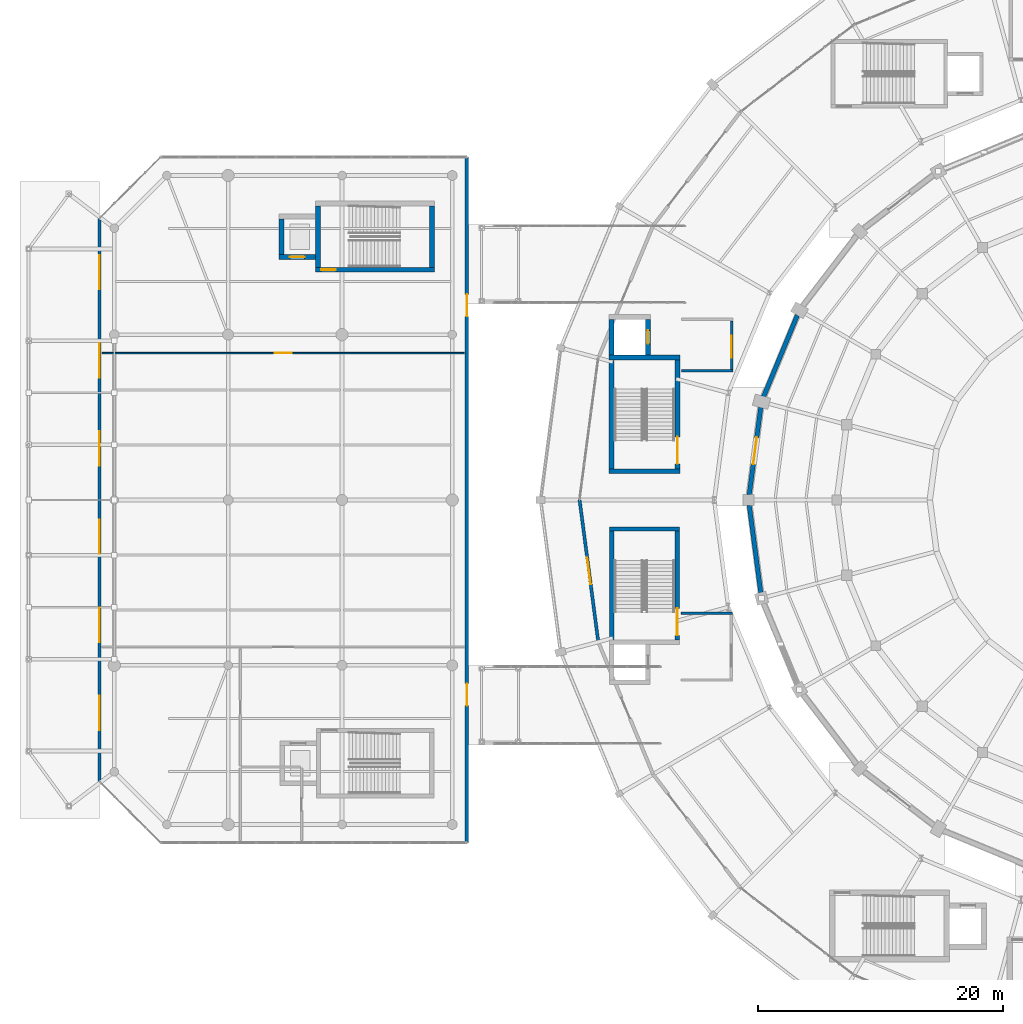
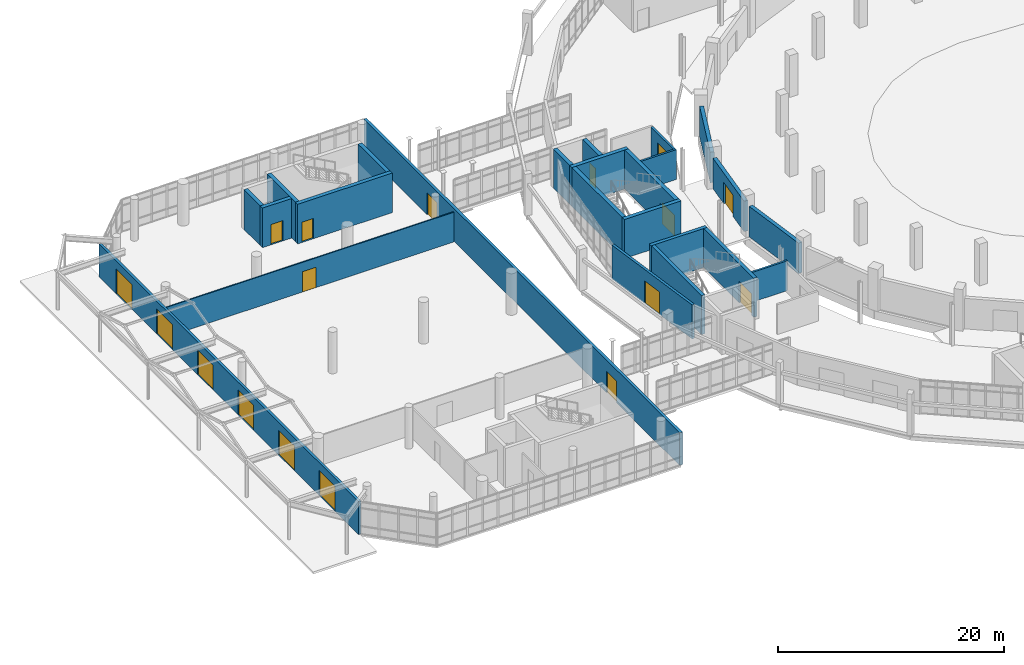
# One storey, part 103 of 122: 24 walls, 17 doors, 17 openings.
"""IFC4 building model written with IfcOpenShell, lengths in metres."""

import ifcopenshell
import ifcopenshell.guid

model = None  # the IFC model being written
_history = None  # IfcOwnerHistory: only IFC2X3 demands one
_inside = {}  # id of a spatial element -> (the spatial element, [elements in it])
_under = {}  # id of a project, library or spatial element -> (it, [spatial elements below it])
_declared = {}  # id of a project -> (the project, [libraries it declares])
_typed = {}  # id of a type object -> (the type object, [elements of that type])
_made_of = {}  # id of a material, layer set ... -> (it, [elements and type objects made of it])


def new_model(schema):
    """Start an empty IFC model of exactly this schema.

    Asked for "IFC4X3", IfcOpenShell would pick the latest addendum, in which some entities
    have other attributes; the version numbers below select the first issue.
    IFC2X3 requires an IfcOwnerHistory on every rooted entity: one is made here for all.
    """
    global model, _history
    if schema == "IFC4X3":
        model = ifcopenshell.file(schema_version=(4, 3, 0, 0))
    else:
        model = ifcopenshell.file(schema=schema)
    _inside.clear()
    _under.clear()
    _declared.clear()
    _typed.clear()
    _made_of.clear()
    _history = None
    if model.schema == "IFC2X3":
        org = make("IfcOrganization", Name="unknown")
        user = make(
            "IfcPersonAndOrganization",
            ThePerson=make("IfcPerson", FamilyName="unknown"),
            TheOrganization=org,
        )
        app = make(
            "IfcApplication",
            ApplicationDeveloper=org,
            Version="unknown",
            ApplicationFullName="unknown",
            ApplicationIdentifier="unknown",
        )
        _history = make(
            "IfcOwnerHistory",
            OwningUser=user,
            OwningApplication=app,
            ChangeAction="ADDED",
            CreationDate=0,
        )
    return model


def make(cls, **values):
    """One entity of the class cls with the attributes given. An attribute that is None is left unset."""
    return model.create_entity(
        cls, **{name: value for name, value in values.items() if value is not None}
    )


def rooted(cls, **values):
    """An entity with a GlobalId (a new one), such as an element, a storey or a relation."""
    return make(cls, GlobalId=ifcopenshell.guid.new(), OwnerHistory=_history, **values)


def si_unit(unit_type, name, prefix=None):
    """IfcSIUnit, for example si_unit("LENGTHUNIT", "METRE", prefix="MILLI")."""
    return make("IfcSIUnit", UnitType=unit_type, Prefix=prefix, Name=name)


def assignment(units):
    """IfcUnitAssignment: the units of a project."""
    return None if units is None else make("IfcUnitAssignment", Units=units)


def point(xyz):
    """IfcCartesianPoint."""
    return None if xyz is None else make("IfcCartesianPoint", Coordinates=xyz)


def direction(xyz):
    """IfcDirection."""
    return None if xyz is None else make("IfcDirection", DirectionRatios=xyz)


def frame(location, z_axis=None, x_axis=None):
    """IfcAxis2Placement3D, a coordinate frame: its origin and axes. An axis left out is left unset."""
    return make(
        "IfcAxis2Placement3D",
        Location=point(location),
        Axis=direction(z_axis),
        RefDirection=direction(x_axis),
    )


def frame_2d(location, x_axis=None):
    """IfcAxis2Placement2D, a coordinate frame in the plane: its origin and x axis."""
    return make(
        "IfcAxis2Placement2D", Location=point(location), RefDirection=direction(x_axis)
    )


def origin():
    """The frame at (0, 0, 0) with its axes left unset."""
    return frame((0.0, 0.0, 0.0))


def place(relative_to, where):
    """IfcLocalPlacement: puts the frame where relative to a parent placement (None: the world)."""
    return make(
        "IfcLocalPlacement", PlacementRelTo=relative_to, RelativePlacement=where
    )


def context(
    kind, dimensions, precision=None, world=None, true_north=None, identifier=None
):
    """IfcGeometricRepresentationContext, for example the 3D "Model" context."""
    return make(
        "IfcGeometricRepresentationContext",
        ContextIdentifier=identifier,
        ContextType=kind,
        CoordinateSpaceDimension=dimensions,
        Precision=precision,
        WorldCoordinateSystem=world,
        TrueNorth=true_north,
    )


def subcontext(parent, identifier, kind, view, scale=None):
    """IfcGeometricRepresentationSubContext, for example "Body" below "Model"."""
    return make(
        "IfcGeometricRepresentationSubContext",
        ContextIdentifier=identifier,
        ContextType=kind,
        ParentContext=parent,
        TargetScale=scale,
        TargetView=view,
    )


def project(units=None, contexts=None):
    """IfcProject with its units and contexts."""
    return rooted(
        "IfcProject",
        Name="project",
        RepresentationContexts=contexts,
        UnitsInContext=assignment(units),
    )


def spatial(cls, under=None, at=None, **own):
    """A site, building, storey or space (cls), placed at a placement, below another one or the project."""
    s = rooted(cls, ObjectPlacement=at, **own)
    if under is not None:
        _under.setdefault(under.id(), (under, []))[1].append(s)
    return s


def profile(cls, at=None, kind="AREA", **sizes):
    """A parametric profile (cls). Its sizes go by their IFC names, for example OverallWidth=200.0."""
    return make(cls, ProfileType=kind, Position=at, **sizes)


def rectangle(**sizes):
    """IfcRectangleProfileDef."""
    return profile("IfcRectangleProfileDef", **sizes)


def extrude(swept, where, along, depth):
    """IfcExtrudedAreaSolid: the profile swept, set in the frame where, extruded along a direction by depth."""
    return make(
        "IfcExtrudedAreaSolid",
        SweptArea=swept,
        Position=where,
        ExtrudedDirection=direction(along),
        Depth=depth,
    )


def shape(context_of_items, identifier, shape_type, items):
    """IfcShapeRepresentation: the items that make up one representation, for example the "Body"."""
    return make(
        "IfcShapeRepresentation",
        ContextOfItems=context_of_items,
        RepresentationIdentifier=identifier,
        RepresentationType=shape_type,
        Items=items,
    )


def material(Name=None, Category=None):
    """IfcMaterial."""
    return make("IfcMaterial", Name=Name, Category=Category)


def layer(
    of_material, thickness, ventilated=None, Name=None, Category=None, Priority=None
):
    """IfcMaterialLayer: one layer of a wall or slab, of a material (None: an air gap)."""
    return make(
        "IfcMaterialLayer",
        Material=of_material,
        LayerThickness=thickness,
        IsVentilated=ventilated,
        Name=Name,
        Category=Category,
        Priority=Priority,
    )


def layer_set(layers, Name=None):
    """IfcMaterialLayerSet."""
    return make("IfcMaterialLayerSet", MaterialLayers=layers, LayerSetName=Name)


def made_of(thing, what):
    """Note that an element or type object is made of a material, layer set ...; save() writes the relation."""
    if what is not None:
        _made_of.setdefault(what.id(), (what, []))[1].append(thing)
    return thing


def type_object(cls, material=None, **own):
    """A type object (cls), such as IfcWallType, which elements share."""
    return made_of(rooted(cls, **own), material)


def element(
    cls,
    number,
    at=None,
    inside=None,
    cuts=None,
    type_object=None,
    material=None,
    context=None,
    identifier="Body",
    shape_type=None,
    held_by="IfcProductDefinitionShape",
    body=None,
    shapes=None,
    **own,
):
    """One element of the class cls, such as IfcWall. Its Tag is "e" and its number.

    at: its placement. inside: the storey or other place that contains it. cuts: it is an
    opening in that element (IfcRelVoidsElement). A single representation is given by context,
    identifier, shape_type and body (its items); several are given by shapes. held_by: the class
    of the entity that holds the representations. save() writes the other relations.
    """
    e = rooted(cls, Tag="e%d" % number, ObjectPlacement=at, **own)
    if body is not None:
        shapes = [shape(context, identifier, shape_type, body)]
    if shapes is not None:
        e.Representation = make(held_by, Representations=shapes)
    if inside is not None:
        _inside.setdefault(inside.id(), (inside, []))[1].append(e)
    if cuts is not None:
        rooted(
            "IfcRelVoidsElement", RelatingBuildingElement=cuts, RelatedOpeningElement=e
        )
    if type_object is not None:
        _typed.setdefault(type_object.id(), (type_object, []))[1].append(e)
    return made_of(e, material)


def fill(opening, filler):
    """IfcRelFillsElement: the door or window that sits in an opening."""
    return rooted(
        "IfcRelFillsElement",
        RelatingOpeningElement=opening,
        RelatedBuildingElement=filler,
    )


def aggregate(whole, parts):
    """IfcRelAggregates: a whole, such as a stair, and the parts it consists of."""
    return rooted("IfcRelAggregates", RelatingObject=whole, RelatedObjects=parts)


def save(model, path):
    """Write the relations noted so far, then the file.

    IfcRelAggregates (storeys below a building ...), IfcRelContainedInSpatialStructure (elements
    in a storey), IfcRelDefinesByType, IfcRelAssociatesMaterial and IfcRelDeclares: one each for
    every whole, place, type object, material and project.
    """
    for whole, parts in _under.values():
        aggregate(whole, parts)
    for where, things in _inside.values():
        rooted(
            "IfcRelContainedInSpatialStructure",
            RelatedElements=things,
            RelatingStructure=where,
        )
    for kind, things in _typed.values():
        rooted("IfcRelDefinesByType", RelatedObjects=things, RelatingType=kind)
    for what, things in _made_of.values():
        rooted("IfcRelAssociatesMaterial", RelatedObjects=things, RelatingMaterial=what)
    for by, libraries in _declared.values():
        rooted("IfcRelDeclares", RelatingContext=by, RelatedDefinitions=libraries)
    model.write(path)


model = new_model("IFC4")

# Units and contexts
model_context = context("Model", 3, precision=1e-05, world=origin(), true_north=direction((0.0, 1.0)))
body_context = subcontext(model_context, "Body", "Model", "MODEL_VIEW")
ifc_project = project(units=[si_unit("LENGTHUNIT", "METRE"), si_unit("AREAUNIT", "SQUARE_METRE"), si_unit("VOLUMEUNIT", "CUBIC_METRE"), si_unit("PLANEANGLEUNIT", "RADIAN"), si_unit("MASSUNIT", "GRAM", prefix="KILO")], contexts=[model_context])

# Site, building, storey
site_placement = place(None, origin())
site = spatial("IfcSite", under=ifc_project, at=site_placement, CompositionType="ELEMENT")
building_placement = place(site_placement, origin())
building = spatial("IfcBuilding", under=site, at=building_placement, Name="Sohan Crest Arena", CompositionType="ELEMENT")
storey_placement = place(building_placement, origin())
storey = spatial("IfcBuildingStorey", under=building, at=storey_placement, Name="L00", CompositionType="ELEMENT", Elevation=0.0)

# Wall, opening, door
ifc_material_1 = material(Name="Margalla limestone ashlar envelope wall", Category="masonry")
ifc_layer_1 = layer(ifc_material_1, 0.260009765625, Name="Margalla limestone ashlar envelope wall")
ifc_layer_set_1 = layer_set([ifc_layer_1], Name="Margalla limestone ashlar envelope wall")
wall_type_1 = type_object("IfcWallType", Name="WAL-EW01", PredefinedType="SOLIDWALL", material=ifc_layer_set_1)
wall_1_placement = place(storey_placement, frame((53.199951171875, 78.0, 0.0), z_axis=(0.0, 0.0, 1.0), x_axis=(0.130576012747, -0.991438301104, 0.0)))
wall_1 = element("IfcWall", 1, at=wall_1_placement, inside=storey, type_object=wall_type_1, Name="External wall EW-075", PredefinedType="SOLIDWALL", context=body_context, shape_type="SweptSolid", body=[
    extrude(rectangle(XDim=11.695068359375, YDim=0.260009765625, at=frame_2d((5.84765625, 0.0))), origin(), (0.0, 0.0, 1.0), 3.679931640625),
])
opening_1_placement = place(wall_1_placement, frame((4.748046875, 0.0, 0.0)))
opening_1 = element("IfcOpeningElement", 2, at=opening_1_placement, cuts=wall_1, Name="Opening G28", PredefinedType="OPENING", context=body_context, shape_type="SweptSolid", body=[
    extrude(rectangle(XDim=2.199951171875, YDim=2.449951171875, at=frame_2d((1.10009765625, 1.22509765625))), frame((0.0, 0.139892578125, 0.0), z_axis=(0.0, -1.0, 0.0), x_axis=(1.0, 0.0, 0.0)), (0.0, 0.0, 1.0), 0.280029296875),
])
ifc_material_2 = material(Name="Galvanised steel acoustic final exit door", Category="steel")
door_type_1 = type_object("IfcDoorType", Name="DR-G02", OperationType="DOUBLE_DOOR_SINGLE_SWING", PredefinedType="DOOR", material=ifc_material_2)
door_1_placement = place(opening_1_placement, frame((2.199951171875, 0.0, 0.0), z_axis=(0.0, 0.0, 1.0), x_axis=(-1.0, 0.0, 0.0)))
door_1 = element("IfcDoor", 3, at=door_1_placement, inside=storey, type_object=door_type_1, Name="Pedestrian exit gate G28", OperationType="DOUBLE_DOOR_SINGLE_SWING", OverallHeight=2.449951171875, OverallWidth=2.199951171875, PredefinedType="DOOR", context=body_context, shape_type="SweptSolid", body=[
    extrude(rectangle(XDim=2.199951171875, YDim=2.449951171875, at=frame_2d((1.10009765625, 1.22509765625))), frame((0.0, 0.02490234375, 0.0), z_axis=(0.0, -1.0, 0.0), x_axis=(1.0, 0.0, 0.0)), (0.0, 0.0, 1.0), 0.050048828125),
])
fill(opening_1, door_1)

# Wall, openings, doors
wall_2_placement = place(storey_placement, frame((14.0, 101.0, 0.0), z_axis=(0.0, 0.0, 1.0), x_axis=(0.0, -1.0, 0.0)))
wall_2 = element("IfcWall", 4, at=wall_2_placement, inside=storey, type_object=wall_type_1, Name="External wall EW-099", PredefinedType="SOLIDWALL", context=body_context, shape_type="SweptSolid", body=[
    extrude(rectangle(XDim=46.0, YDim=0.260009765625, at=frame_2d((23.0, 0.0))), origin(), (0.0, 0.0, 1.0), 3.550048828125),
])
opening_2_placement = place(wall_2_placement, frame((3.0, 0.0, 0.0)))
opening_2 = element("IfcOpeningElement", 5, at=opening_2_placement, cuts=wall_2, Name="Opening E01", PredefinedType="OPENING", context=body_context, shape_type="SweptSolid", body=[
    extrude(rectangle(XDim=2.800048828125, YDim=2.699951171875, at=frame_2d((1.39990234375, 1.35009765625))), frame((0.0, 0.139892578125, 0.0), z_axis=(0.0, -1.0, 0.0), x_axis=(1.0, 0.0, 0.0)), (0.0, 0.0, 1.0), 0.280029296875),
])
opening_3_placement = place(wall_2_placement, frame((10.199951171875, 0.0, 0.0)))
opening_3 = element("IfcOpeningElement", 6, at=opening_3_placement, cuts=wall_2, Name="Opening E02", PredefinedType="OPENING", context=body_context, shape_type="SweptSolid", body=[
    extrude(rectangle(XDim=2.800048828125, YDim=2.699951171875, at=frame_2d((1.39990234375, 1.35009765625))), frame((0.0, 0.139892578125, 0.0), z_axis=(0.0, -1.0, 0.0), x_axis=(1.0, 0.0, 0.0)), (0.0, 0.0, 1.0), 0.280029296875),
])
opening_4_placement = place(wall_2_placement, frame((17.39990234375, 0.0, 0.0)))
opening_4 = element("IfcOpeningElement", 7, at=opening_4_placement, cuts=wall_2, Name="Opening E03", PredefinedType="OPENING", context=body_context, shape_type="SweptSolid", body=[
    extrude(rectangle(XDim=2.800048828125, YDim=2.699951171875, at=frame_2d((1.39990234375, 1.35009765625))), frame((0.0, 0.139892578125, 0.0), z_axis=(0.0, -1.0, 0.0), x_axis=(1.0, 0.0, 0.0)), (0.0, 0.0, 1.0), 0.280029296875),
])
opening_5_placement = place(wall_2_placement, frame((24.60009765625, 0.0, 0.0)))
opening_5 = element("IfcOpeningElement", 8, at=opening_5_placement, cuts=wall_2, Name="Opening E04", PredefinedType="OPENING", context=body_context, shape_type="SweptSolid", body=[
    extrude(rectangle(XDim=2.800048828125, YDim=2.699951171875, at=frame_2d((1.39990234375, 1.35009765625))), frame((0.0, 0.139892578125, 0.0), z_axis=(0.0, -1.0, 0.0), x_axis=(1.0, 0.0, 0.0)), (0.0, 0.0, 1.0), 0.280029296875),
])
opening_6_placement = place(wall_2_placement, frame((31.800048828125, 0.0, 0.0)))
opening_6 = element("IfcOpeningElement", 9, at=opening_6_placement, cuts=wall_2, Name="Opening E05", PredefinedType="OPENING", context=body_context, shape_type="SweptSolid", body=[
    extrude(rectangle(XDim=2.800048828125, YDim=2.699951171875, at=frame_2d((1.39990234375, 1.35009765625))), frame((0.0, 0.139892578125, 0.0), z_axis=(0.0, -1.0, 0.0), x_axis=(1.0, 0.0, 0.0)), (0.0, 0.0, 1.0), 0.280029296875),
])
opening_7_placement = place(wall_2_placement, frame((39.0, 0.0, 0.0)))
opening_7 = element("IfcOpeningElement", 10, at=opening_7_placement, cuts=wall_2, Name="Opening E06", PredefinedType="OPENING", context=body_context, shape_type="SweptSolid", body=[
    extrude(rectangle(XDim=2.800048828125, YDim=2.699951171875, at=frame_2d((1.39990234375, 1.35009765625))), frame((0.0, 0.139892578125, 0.0), z_axis=(0.0, -1.0, 0.0), x_axis=(1.0, 0.0, 0.0)), (0.0, 0.0, 1.0), 0.280029296875),
])
ifc_material_3 = material(Name="Thermally broken glazed aluminium entrance door", Category="aluminium")
door_type_2 = type_object("IfcDoorType", Name="DR-E01", OperationType="DOUBLE_DOOR_SINGLE_SWING", PredefinedType="DOOR", material=ifc_material_3)
door_2_placement = place(opening_2_placement, frame((2.800048828125, 0.0, 0.0), z_axis=(0.0, 0.0, 1.0), x_axis=(-1.0, 0.0, 0.0)))
door_2 = element("IfcDoor", 11, at=door_2_placement, inside=storey, type_object=door_type_2, Name="Main entrance E01", OperationType="DOUBLE_DOOR_SINGLE_SWING", OverallHeight=2.699951171875, OverallWidth=2.800048828125, PredefinedType="DOOR", context=body_context, shape_type="SweptSolid", body=[
    extrude(rectangle(XDim=2.800048828125, YDim=2.699951171875, at=frame_2d((1.39990234375, 1.35009765625))), frame((0.0, 0.02490234375, 0.0), z_axis=(0.0, -1.0, 0.0), x_axis=(1.0, 0.0, 0.0)), (0.0, 0.0, 1.0), 0.050048828125),
])
fill(opening_2, door_2)
door_3_placement = place(opening_3_placement, frame((2.800048828125, 0.0, 0.0), z_axis=(0.0, 0.0, 1.0), x_axis=(-1.0, 0.0, 0.0)))
door_3 = element("IfcDoor", 12, at=door_3_placement, inside=storey, type_object=door_type_2, Name="Main entrance E02", OperationType="DOUBLE_DOOR_SINGLE_SWING", OverallHeight=2.699951171875, OverallWidth=2.800048828125, PredefinedType="DOOR", context=body_context, shape_type="SweptSolid", body=[
    extrude(rectangle(XDim=2.800048828125, YDim=2.699951171875, at=frame_2d((1.39990234375, 1.35009765625))), frame((0.0, 0.02490234375, 0.0), z_axis=(0.0, -1.0, 0.0), x_axis=(1.0, 0.0, 0.0)), (0.0, 0.0, 1.0), 0.050048828125),
])
fill(opening_3, door_3)
door_4_placement = place(opening_4_placement, frame((2.800048828125, 0.0, 0.0), z_axis=(0.0, 0.0, 1.0), x_axis=(-1.0, 0.0, 0.0)))
door_4 = element("IfcDoor", 13, at=door_4_placement, inside=storey, type_object=door_type_2, Name="Main entrance E03", OperationType="DOUBLE_DOOR_SINGLE_SWING", OverallHeight=2.699951171875, OverallWidth=2.800048828125, PredefinedType="DOOR", context=body_context, shape_type="SweptSolid", body=[
    extrude(rectangle(XDim=2.800048828125, YDim=2.699951171875, at=frame_2d((1.39990234375, 1.35009765625))), frame((0.0, 0.02490234375, 0.0), z_axis=(0.0, -1.0, 0.0), x_axis=(1.0, 0.0, 0.0)), (0.0, 0.0, 1.0), 0.050048828125),
])
fill(opening_4, door_4)
door_5_placement = place(opening_5_placement, frame((2.800048828125, 0.0, 0.0), z_axis=(0.0, 0.0, 1.0), x_axis=(-1.0, 0.0, 0.0)))
door_5 = element("IfcDoor", 14, at=door_5_placement, inside=storey, type_object=door_type_2, Name="Main entrance E04", OperationType="DOUBLE_DOOR_SINGLE_SWING", OverallHeight=2.699951171875, OverallWidth=2.800048828125, PredefinedType="DOOR", context=body_context, shape_type="SweptSolid", body=[
    extrude(rectangle(XDim=2.800048828125, YDim=2.699951171875, at=frame_2d((1.39990234375, 1.35009765625))), frame((0.0, 0.02490234375, 0.0), z_axis=(0.0, -1.0, 0.0), x_axis=(1.0, 0.0, 0.0)), (0.0, 0.0, 1.0), 0.050048828125),
])
fill(opening_5, door_5)
door_6_placement = place(opening_6_placement, frame((2.800048828125, 0.0, 0.0), z_axis=(0.0, 0.0, 1.0), x_axis=(-1.0, 0.0, 0.0)))
door_6 = element("IfcDoor", 15, at=door_6_placement, inside=storey, type_object=door_type_2, Name="Main entrance E05", OperationType="DOUBLE_DOOR_SINGLE_SWING", OverallHeight=2.699951171875, OverallWidth=2.800048828125, PredefinedType="DOOR", context=body_context, shape_type="SweptSolid", body=[
    extrude(rectangle(XDim=2.800048828125, YDim=2.699951171875, at=frame_2d((1.39990234375, 1.35009765625))), frame((0.0, 0.02490234375, 0.0), z_axis=(0.0, -1.0, 0.0), x_axis=(1.0, 0.0, 0.0)), (0.0, 0.0, 1.0), 0.050048828125),
])
fill(opening_6, door_6)
door_7_placement = place(opening_7_placement, frame((2.800048828125, 0.0, 0.0), z_axis=(0.0, 0.0, 1.0), x_axis=(-1.0, 0.0, 0.0)))
door_7 = element("IfcDoor", 16, at=door_7_placement, inside=storey, type_object=door_type_2, Name="Main entrance E06", OperationType="DOUBLE_DOOR_SINGLE_SWING", OverallHeight=2.699951171875, OverallWidth=2.800048828125, PredefinedType="DOOR", context=body_context, shape_type="SweptSolid", body=[
    extrude(rectangle(XDim=2.800048828125, YDim=2.699951171875, at=frame_2d((1.39990234375, 1.35009765625))), frame((0.0, 0.02490234375, 0.0), z_axis=(0.0, -1.0, 0.0), x_axis=(1.0, 0.0, 0.0)), (0.0, 0.0, 1.0), 0.050048828125),
])
fill(opening_7, door_7)

ifc_material_4 = material(Name="Clinker brick and ceramic mosaic envelope wall", Category="masonry")
ifc_layer_2 = layer(ifc_material_4, 0.280029296875, Name="Clinker brick and ceramic mosaic envelope wall")
ifc_layer_set_2 = layer_set([ifc_layer_2], Name="Clinker brick and ceramic mosaic envelope wall")
wall_type_2 = type_object("IfcWallType", Name="WAL-EW02", PredefinedType="SOLIDWALL", material=ifc_layer_set_2)
wall_3_placement = place(storey_placement, frame((44.0, 50.0, 0.0), z_axis=(0.0, 0.0, 1.0), x_axis=(0.0, 1.0, 0.0)))
wall_3 = element("IfcWall", 17, at=wall_3_placement, inside=storey, type_object=wall_type_2, Name="External wall EW-098", PredefinedType="SOLIDWALL", context=body_context, shape_type="SweptSolid", body=[
    extrude(rectangle(XDim=56.0, YDim=0.280029296875, at=frame_2d((28.0, 0.0))), origin(), (0.0, 0.0, 1.0), 3.550048828125),
])
opening_8_placement = place(wall_3_placement, frame((11.199951171875, 0.0, 0.0)))
opening_8 = element("IfcOpeningElement", 18, at=opening_8_placement, cuts=wall_3, Name="Opening V3B-L00-62", PredefinedType="OPENING", context=body_context, shape_type="SweptSolid", body=[
    extrude(rectangle(XDim=1.800048828125, YDim=2.35009765625, at=frame_2d((0.89990234375, 1.175048828125))), frame((0.0, 0.14990234375, 0.0), z_axis=(0.0, -1.0, 0.0), x_axis=(1.0, 0.0, 0.0)), (0.0, 0.0, 1.0), 0.300048828125),
])
opening_9_placement = place(wall_3_placement, frame((43.0, 0.0, 0.0)))
opening_9 = element("IfcOpeningElement", 19, at=opening_9_placement, cuts=wall_3, Name="Opening V3B-L00-93", PredefinedType="OPENING", context=body_context, shape_type="SweptSolid", body=[
    extrude(rectangle(XDim=1.800048828125, YDim=2.35009765625, at=frame_2d((0.89990234375, 1.175048828125))), frame((0.0, 0.14990234375, 0.0), z_axis=(0.0, -1.0, 0.0), x_axis=(1.0, 0.0, 0.0)), (0.0, 0.0, 1.0), 0.300048828125),
])
ifc_material_5 = material(Name="Glazed aluminium terrace access door", Category="aluminium")
door_type_3 = type_object("IfcDoorType", Name="DR-ED01", OperationType="DOUBLE_DOOR_SINGLE_SWING", PredefinedType="DOOR", material=ifc_material_5)
door_8_placement = place(opening_8_placement, frame((1.800048828125, 0.0, 0.0), z_axis=(0.0, 0.0, 1.0), x_axis=(-1.0, 0.0, 0.0)))
door_8 = element("IfcDoor", 20, at=door_8_placement, inside=storey, type_object=door_type_3, Name="Foyer bridge door V3B-L00-62", OperationType="DOUBLE_DOOR_SINGLE_SWING", OverallHeight=2.35009765625, OverallWidth=1.800048828125, PredefinedType="DOOR", context=body_context, shape_type="SweptSolid", body=[
    extrude(rectangle(XDim=1.800048828125, YDim=2.35009765625, at=frame_2d((0.89990234375, 1.175048828125))), frame((0.0, 0.02490234375, 0.0), z_axis=(0.0, -1.0, 0.0), x_axis=(1.0, 0.0, 0.0)), (0.0, 0.0, 1.0), 0.050048828125),
])
fill(opening_8, door_8)
door_9_placement = place(opening_9_placement, frame((1.800048828125, 0.0, 0.0), z_axis=(0.0, 0.0, 1.0), x_axis=(-1.0, 0.0, 0.0)))
door_9 = element("IfcDoor", 21, at=door_9_placement, inside=storey, type_object=door_type_3, Name="Foyer bridge door V3B-L00-93", OperationType="DOUBLE_DOOR_SINGLE_SWING", OverallHeight=2.35009765625, OverallWidth=1.800048828125, PredefinedType="DOOR", context=body_context, shape_type="SweptSolid", body=[
    extrude(rectangle(XDim=1.800048828125, YDim=2.35009765625, at=frame_2d((0.89990234375, 1.175048828125))), frame((0.0, 0.02490234375, 0.0), z_axis=(0.0, -1.0, 0.0), x_axis=(1.0, 0.0, 0.0)), (0.0, 0.0, 1.0), 0.050048828125),
])
fill(opening_9, door_9)

# Wall
ifc_material_6 = material(Name="Acoustic insulated bowl drum enclosure wall", Category="masonry")
ifc_layer_3 = layer(ifc_material_6, 0.3701171875, Name="Acoustic insulated bowl drum enclosure wall")
ifc_layer_set_3 = layer_set([ifc_layer_3], Name="Acoustic insulated bowl drum enclosure wall")
wall_type_3 = type_object("IfcWallType", Name="WAL-EW05", PredefinedType="SOLIDWALL", material=ifc_layer_set_3)
wall_4_placement = place(storey_placement, frame((70.985107421875, 93.093017578125, 0.0), z_axis=(0.0, 0.0, 1.0), x_axis=(-0.382807189089, -0.923828261086, 0.0)))
element("IfcWall", 22, at=wall_4_placement, inside=storey, type_object=wall_type_3, Name="Acoustic bowl drum wall BW-L00-05", PredefinedType="SOLIDWALL", context=body_context, shape_type="SweptSolid", body=[
    extrude(rectangle(XDim=7.21240234375, YDim=0.3701171875, at=frame_2d((3.606201171875, 0.0))), origin(), (0.0, 0.0, 1.0), 3.300048828125),
])

# Wall, opening, door
wall_5_placement = place(storey_placement, frame((67.9990234375, 85.5869140625, 0.0), z_axis=(0.0, 0.0, 1.0), x_axis=(-0.130622625772, -0.991432160885, 0.0)))
wall_5 = element("IfcWall", 23, at=wall_5_placement, inside=storey, type_object=wall_type_3, Name="Acoustic bowl drum wall BW-L00-06", PredefinedType="SOLIDWALL", context=body_context, shape_type="SweptSolid", body=[
    extrude(rectangle(XDim=7.212646484375, YDim=0.3701171875, at=frame_2d((3.6064453125, 0.0))), origin(), (0.0, 0.0, 1.0), 3.300048828125),
])
opening_10_placement = place(wall_5_placement, frame((2.506103515625, 0.0, 0.0)))
opening_10 = element("IfcOpeningElement", 24, at=opening_10_placement, cuts=wall_5, Name="Opening VD-L00-06", PredefinedType="OPENING", context=body_context, shape_type="SweptSolid", body=[
    extrude(rectangle(XDim=2.199951171875, YDim=2.300048828125, at=frame_2d((1.10009765625, 1.14990234375))), frame((0.0, 0.195068359375, 0.0), z_axis=(0.0, -1.0, 0.0), x_axis=(1.0, 0.0, 0.0)), (0.0, 0.0, 1.0), 0.39013671875),
])
ifc_material_7 = material(Name="Fire-rated steel double escape door", Category="steel")
door_type_4 = type_object("IfcDoorType", Name="DR-FD01", OperationType="DOUBLE_DOOR_SINGLE_SWING", PredefinedType="DOOR", material=ifc_material_7)
door_10_placement = place(opening_10_placement, origin())
door_10 = element("IfcDoor", 25, at=door_10_placement, inside=storey, type_object=door_type_4, Name="Bowl vomitory portal fire door VD-L00-06", OperationType="DOUBLE_DOOR_SINGLE_SWING", OverallHeight=2.300048828125, OverallWidth=2.199951171875, PredefinedType="DOOR", context=body_context, shape_type="SweptSolid", body=[
    extrude(rectangle(XDim=2.199951171875, YDim=2.300048828125, at=frame_2d((1.10009765625, 1.14990234375))), frame((0.0, 0.02490234375, 0.0), z_axis=(0.0, -1.0, 0.0), x_axis=(1.0, 0.0, 0.0)), (0.0, 0.0, 1.0), 0.050048828125),
])
fill(opening_10, door_10)

# Walls
wall_6_placement = place(storey_placement, frame((67.056884765625, 77.56396484375, 0.0), z_axis=(0.0, 0.0, 1.0), x_axis=(0.130622625772, -0.991432160885, 0.0)))
element("IfcWall", 26, at=wall_6_placement, inside=storey, type_object=wall_type_3, Name="Acoustic bowl drum wall BW-L00-07", PredefinedType="SOLIDWALL", context=body_context, shape_type="SweptSolid", body=[
    extrude(rectangle(XDim=7.212646484375, YDim=0.3701171875, at=frame_2d((3.6064453125, 0.0))), origin(), (0.0, 0.0, 1.0), 3.300048828125),
])
ifc_material_8 = material(Name="Fire-rated masonry blockwork compartment wall", Category="masonry")
ifc_layer_4 = layer(ifc_material_8, 0.199951171875, Name="Fire-rated masonry blockwork compartment wall")
ifc_layer_set_4 = layer_set([ifc_layer_4], Name="Fire-rated masonry blockwork compartment wall")
wall_type_4 = type_object("IfcWallType", Name="WAL-FW01", PredefinedType="PARTITIONING", material=ifc_layer_set_4)
for number, where, z_axis, x_axis, name in (
    (27, (61.489990234375, 68.75, 0.0), (0.0, 0.0, 1.0), (1.0, 0.0, 0.0), "Interior partition wall PW-0019"),
    (28, (61.5400390625, 88.550048828125, 0.0), (0.0, 0.0, 1.0), (1.0, 0.0, 0.0), "Interior partition wall PW-0088"),
):
    element("IfcWall", number, at=place(storey_placement, frame(where, z_axis=z_axis, x_axis=x_axis)), inside=storey, type_object=wall_type_4, Name=name, PredefinedType="PARTITIONING", context=body_context, shape_type="SweptSolid", body=[
        extrude(rectangle(XDim=4.179931640625, YDim=0.199951171875, at=frame_2d((2.08984375, 0.0))), origin(), (0.0, 0.0, 1.0), 3.219970703125),
    ])

# Wall, opening, door
wall_7_placement = place(storey_placement, frame((65.6201171875, 88.669921875, 0.0), z_axis=(0.0, 0.0, 1.0), x_axis=(0.0, 1.0, 0.0)))
wall_7 = element("IfcWall", 29, at=wall_7_placement, inside=storey, type_object=wall_type_4, Name="Interior partition wall PW-0090", PredefinedType="PARTITIONING", context=body_context, shape_type="SweptSolid", body=[
    extrude(rectangle(XDim=3.9599609375, YDim=0.199951171875, at=frame_2d((1.97998046875, 0.0))), origin(), (0.0, 0.0, 1.0), 3.219970703125),
])
opening_11_placement = place(wall_7_placement, frame((0.949951171875, 0.0, 0.0)))
opening_11 = element("IfcOpeningElement", 30, at=opening_11_placement, cuts=wall_7, Name="Opening FFL-0027", PredefinedType="OPENING", context=body_context, shape_type="SweptSolid", body=[
    extrude(rectangle(XDim=1.800048828125, YDim=2.199951171875, at=frame_2d((0.89990234375, 1.10009765625))), frame((0.0, 0.10986328125, 0.0), z_axis=(0.0, -1.0, 0.0), x_axis=(1.0, 0.0, 0.0)), (0.0, 0.0, 1.0), 0.219970703125),
])
ifc_material_9 = material(Name="Fire-rated timber-faced lobby double door", Category="wood")
door_type_5 = type_object("IfcDoorType", Name="DR-FD03", OperationType="DOUBLE_DOOR_SINGLE_SWING", PredefinedType="DOOR", material=ifc_material_9)
door_11_placement = place(opening_11_placement, origin())
door_11 = element("IfcDoor", 31, at=door_11_placement, inside=storey, type_object=door_type_5, Name="Firefighting lift lobby door FL02 FFL-0027", OperationType="DOUBLE_DOOR_SINGLE_SWING", OverallHeight=2.199951171875, OverallWidth=1.800048828125, PredefinedType="DOOR", context=body_context, shape_type="SweptSolid", body=[
    extrude(rectangle(XDim=1.800048828125, YDim=2.199951171875, at=frame_2d((0.89990234375, 1.10009765625))), frame((0.0, 0.02490234375, 0.0), z_axis=(0.0, -1.0, 0.0), x_axis=(1.0, 0.0, 0.0)), (0.0, 0.0, 1.0), 0.050048828125),
])
fill(opening_11, door_11)

ifc_material_10 = material(Name="Acoustic gypsum stud room partition", Category="masonry")
ifc_layer_5 = layer(ifc_material_10, 0.1201171875, Name="Acoustic gypsum stud room partition")
ifc_layer_set_5 = layer_set([ifc_layer_5], Name="Acoustic gypsum stud room partition")
wall_type_5 = type_object("IfcWallType", Name="WAL-PW01", PredefinedType="PARTITIONING", material=ifc_layer_set_5)
wall_8_placement = place(storey_placement, frame((14.199951171875, 90.0, 0.0), z_axis=(0.0, 0.0, 1.0), x_axis=(1.0, 0.0, 0.0)))
wall_8 = element("IfcWall", 32, at=wall_8_placement, inside=storey, type_object=wall_type_5, Name="Interior partition wall PW-0847", PredefinedType="PARTITIONING", context=body_context, shape_type="SweptSolid", body=[
    extrude(rectangle(XDim=29.60009765625, YDim=0.1201171875, at=frame_2d((14.800048828125, 0.0))), origin(), (0.0, 0.0, 1.0), 3.219970703125),
])
opening_12_placement = place(wall_8_placement, frame((14.10009765625, 0.0, 0.0)))
opening_12 = element("IfcOpeningElement", 33, at=opening_12_placement, cuts=wall_8, Name="Opening FY-0232", PredefinedType="OPENING", context=body_context, shape_type="SweptSolid", body=[
    extrude(rectangle(XDim=1.39990234375, YDim=2.199951171875, at=frame_2d((0.699951171875, 1.10009765625))), frame((0.0, 0.070068359375, 0.0), z_axis=(0.0, -1.0, 0.0), x_axis=(1.0, 0.0, 0.0)), (0.0, 0.0, 1.0), 0.14013671875),
])
ifc_material_11 = material(Name="Solid oak practice hall double door", Category="wood")
door_type_6 = type_object("IfcDoorType", Name="DR-ID02", OperationType="DOUBLE_DOOR_SINGLE_SWING", PredefinedType="DOOR", material=ifc_material_11)
door_12_placement = place(opening_12_placement, origin())
door_12 = element("IfcDoor", 34, at=door_12_placement, inside=storey, type_object=door_type_6, Name="Merchandise shop door FY-0232", OperationType="DOUBLE_DOOR_SINGLE_SWING", OverallHeight=2.199951171875, OverallWidth=1.39990234375, PredefinedType="DOOR", context=body_context, shape_type="SweptSolid", body=[
    extrude(rectangle(XDim=1.39990234375, YDim=2.199951171875, at=frame_2d((0.699951171875, 1.10009765625))), frame((0.0, 0.02490234375, 0.0), z_axis=(0.0, -1.0, 0.0), x_axis=(1.0, 0.0, 0.0)), (0.0, 0.0, 1.0), 0.050048828125),
])
fill(opening_12, door_12)

# Walls
ifc_material_12 = material(Name="Concrete C40/50", Category="concrete")
ifc_layer_6 = layer(ifc_material_12, 0.35009765625, Name="Concrete C40/50")
ifc_layer_set_6 = layer_set([ifc_layer_6], Name="Concrete C40/50")
wall_type_6 = type_object("IfcWallType", Name="WAL-SW02", PredefinedType="SHEAR", material=ifc_layer_set_6)
wall_9_placement = place(storey_placement, frame((55.64990234375, 75.625, 0.0), z_axis=(0.0, 0.0, 1.0), x_axis=(1.0, 0.0, 0.0)))
element("IfcWall", 35, at=wall_9_placement, inside=storey, type_object=wall_type_6, Name="Core shear wall SW-0012", PredefinedType="SHEAR", context=body_context, shape_type="SweptSolid", body=[
    extrude(rectangle(XDim=5.7001953125, YDim=0.35009765625, at=frame_2d((2.85009765625, 0.0))), origin(), (0.0, 0.0, 1.0), 4.22509765625),
])
wall_10_placement = place(storey_placement, frame((55.824951171875, 66.550048828125, 0.0), z_axis=(0.0, 0.0, 1.0), x_axis=(0.0, 1.0, 0.0)))
element("IfcWall", 36, at=wall_10_placement, inside=storey, type_object=wall_type_6, Name="Core shear wall SW-0013", PredefinedType="SHEAR", context=body_context, shape_type="SweptSolid", body=[
    extrude(rectangle(XDim=8.89990234375, YDim=0.35009765625, at=frame_2d((4.449951171875, 0.0))), origin(), (0.0, 0.0, 1.0), 4.22509765625),
])

# Wall, opening, door
wall_11_placement = place(storey_placement, frame((61.175048828125, 66.550048828125, 0.0), z_axis=(0.0, 0.0, 1.0), x_axis=(0.0, 1.0, 0.0)))
wall_11 = element("IfcWall", 37, at=wall_11_placement, inside=storey, type_object=wall_type_6, Name="Core shear wall SW-0014", PredefinedType="SHEAR", context=body_context, shape_type="SweptSolid", body=[
    extrude(rectangle(XDim=8.89990234375, YDim=0.35009765625, at=frame_2d((4.449951171875, 0.0))), origin(), (0.0, 0.0, 1.0), 4.22509765625),
])
opening_13_placement = place(wall_11_placement, frame((0.39990234375, 0.0, 0.0)))
opening_13 = element("IfcOpeningElement", 38, at=opening_13_placement, cuts=wall_11, Name="Opening SD-0004", PredefinedType="OPENING", context=body_context, shape_type="SweptSolid", body=[
    extrude(rectangle(XDim=2.199951171875, YDim=2.300048828125, at=frame_2d((1.10009765625, 1.14990234375))), frame((0.0, 0.18505859375, 0.0), z_axis=(0.0, -1.0, 0.0), x_axis=(1.0, 0.0, 0.0)), (0.0, 0.0, 1.0), 0.3701171875),
])
door_13_placement = place(opening_13_placement, origin())
door_13 = element("IfcDoor", 39, at=door_13_placement, inside=storey, type_object=door_type_4, Name="Protected stair door SD-0004", OperationType="DOUBLE_DOOR_SINGLE_SWING", OverallHeight=2.300048828125, OverallWidth=2.199951171875, PredefinedType="DOOR", context=body_context, shape_type="SweptSolid", body=[
    extrude(rectangle(XDim=2.199951171875, YDim=2.300048828125, at=frame_2d((1.10009765625, 1.14990234375))), frame((0.0, 0.02490234375, 0.0), z_axis=(0.0, -1.0, 0.0), x_axis=(1.0, 0.0, 0.0)), (0.0, 0.0, 1.0), 0.050048828125),
])
fill(opening_13, door_13)

# Walls
ifc_layer_7 = layer(ifc_material_12, 0.39990234375, Name="Concrete C40/50")
ifc_layer_set_7 = layer_set([ifc_layer_7], Name="Concrete C40/50")
wall_type_7 = type_object("IfcWallType", Name="WAL-SW03", PredefinedType="SHEAR", material=ifc_layer_set_7)
for number, where, z_axis, x_axis, name in (
    (40, (55.60009765625, 80.35009765625, 0.0), (0.0, 0.0, 1.0), (1.0, 0.0, 0.0), "Core shear wall SW-0081"),
    (41, (55.60009765625, 89.64990234375, 0.0), (0.0, 0.0, 1.0), (1.0, 0.0, 0.0), "Core shear wall SW-0082"),
):
    element("IfcWall", number, at=place(storey_placement, frame(where, z_axis=z_axis, x_axis=x_axis)), inside=storey, type_object=wall_type_7, Name=name, PredefinedType="SHEAR", context=body_context, shape_type="SweptSolid", body=[
        extrude(rectangle(XDim=5.7998046875, YDim=0.39990234375, at=frame_2d((2.89990234375, 0.0))), origin(), (0.0, 0.0, 1.0), 4.22509765625),
    ])
wall_12_placement = place(storey_placement, frame((55.800048828125, 80.550048828125, 0.0), z_axis=(0.0, 0.0, 1.0), x_axis=(0.0, 1.0, 0.0)))
element("IfcWall", 42, at=wall_12_placement, inside=storey, type_object=wall_type_7, Name="Core shear wall SW-0083", PredefinedType="SHEAR", context=body_context, shape_type="SweptSolid", body=[
    extrude(rectangle(XDim=8.89990234375, YDim=0.39990234375, at=frame_2d((4.449951171875, 0.0))), origin(), (0.0, 0.0, 1.0), 4.22509765625),
])

# Wall, opening, door
wall_13_placement = place(storey_placement, frame((61.199951171875, 80.550048828125, 0.0), z_axis=(0.0, 0.0, 1.0), x_axis=(0.0, 1.0, 0.0)))
wall_13 = element("IfcWall", 43, at=wall_13_placement, inside=storey, type_object=wall_type_7, Name="Core shear wall SW-0084", PredefinedType="SHEAR", context=body_context, shape_type="SweptSolid", body=[
    extrude(rectangle(XDim=8.89990234375, YDim=0.39990234375, at=frame_2d((4.449951171875, 0.0))), origin(), (0.0, 0.0, 1.0), 4.22509765625),
])
opening_14_placement = place(wall_13_placement, frame((0.39990234375, 0.0, 0.0)))
opening_14 = element("IfcOpeningElement", 44, at=opening_14_placement, cuts=wall_13, Name="Opening SD-0025", PredefinedType="OPENING", context=body_context, shape_type="SweptSolid", body=[
    extrude(rectangle(XDim=2.199951171875, YDim=2.300048828125, at=frame_2d((1.10009765625, 1.14990234375))), frame((0.0, 0.2099609375, 0.0), z_axis=(0.0, -1.0, 0.0), x_axis=(1.0, 0.0, 0.0)), (0.0, 0.0, 1.0), 0.419921875),
])
door_14_placement = place(opening_14_placement, origin())
door_14 = element("IfcDoor", 45, at=door_14_placement, inside=storey, type_object=door_type_4, Name="Protected stair door SD-0025", OperationType="DOUBLE_DOOR_SINGLE_SWING", OverallHeight=2.300048828125, OverallWidth=2.199951171875, PredefinedType="DOOR", context=body_context, shape_type="SweptSolid", body=[
    extrude(rectangle(XDim=2.199951171875, YDim=2.300048828125, at=frame_2d((1.10009765625, 1.14990234375))), frame((0.0, 0.02490234375, 0.0), z_axis=(0.0, -1.0, 0.0), x_axis=(1.0, 0.0, 0.0)), (0.0, 0.0, 1.0), 0.050048828125),
])
fill(opening_14, door_14)

# Wall
wall_14_placement = place(storey_placement, frame((55.800048828125, 89.85009765625, 0.0), z_axis=(0.0, 0.0, 1.0), x_axis=(0.0, 1.0, 0.0)))
element("IfcWall", 46, at=wall_14_placement, inside=storey, type_object=wall_type_7, Name="Core shear wall SW-0085", PredefinedType="SHEAR", context=body_context, shape_type="SweptSolid", body=[
    extrude(rectangle(XDim=2.89990234375, YDim=0.39990234375, at=frame_2d((1.449951171875, 0.0))), origin(), (0.0, 0.0, 1.0), 4.22509765625),
])

# Wall, opening, door
wall_15_placement = place(storey_placement, frame((58.800048828125, 89.85009765625, 0.0), z_axis=(0.0, 0.0, 1.0), x_axis=(0.0, 1.0, 0.0)))
wall_15 = element("IfcWall", 47, at=wall_15_placement, inside=storey, type_object=wall_type_7, Name="Core shear wall SW-0086", PredefinedType="SHEAR", context=body_context, shape_type="SweptSolid", body=[
    extrude(rectangle(XDim=2.89990234375, YDim=0.39990234375, at=frame_2d((1.449951171875, 0.0))), origin(), (0.0, 0.0, 1.0), 4.22509765625),
])
opening_15_placement = place(wall_15_placement, frame((0.89990234375, 0.0, 0.0)))
opening_15 = element("IfcOpeningElement", 48, at=opening_15_placement, cuts=wall_15, Name="Opening LD-FL02-L00", PredefinedType="OPENING", context=body_context, shape_type="SweptSolid", body=[
    extrude(rectangle(XDim=1.10009765625, YDim=2.199951171875, at=frame_2d((0.550048828125, 1.10009765625))), frame((0.0, 0.2099609375, 0.0), z_axis=(0.0, -1.0, 0.0), x_axis=(1.0, 0.0, 0.0)), (0.0, 0.0, 1.0), 0.419921875),
])
ifc_material_13 = material(Name="Stainless steel firefighting lift landing door", Category="steel")
door_type_7 = type_object("IfcDoorType", Name="DR-LD01", OperationType="SLIDING_TO_LEFT", PredefinedType="DOOR", material=ifc_material_13)
door_15_placement = place(opening_15_placement, origin())
door_15 = element("IfcDoor", 49, at=door_15_placement, inside=storey, type_object=door_type_7, Name="Sliding lift landing door LD-FL02-L00", OperationType="SLIDING_TO_LEFT", OverallHeight=2.199951171875, OverallWidth=1.10009765625, PredefinedType="DOOR", context=body_context, shape_type="SweptSolid", body=[
    extrude(rectangle(XDim=1.10009765625, YDim=2.199951171875, at=frame_2d((0.550048828125, 1.10009765625))), frame((0.0, 0.02490234375, 0.0), z_axis=(0.0, -1.0, 0.0), x_axis=(1.0, 0.0, 0.0)), (0.0, 0.0, 1.0), 0.050048828125),
])
fill(opening_15, door_15)

# Walls
for number, where, z_axis, x_axis, name in (
    (50, (31.85009765625, 97.0, 0.0), (0.0, 0.0, 1.0), (0.0, 1.0, 0.0), "Core shear wall SW-0560"),
    (51, (41.14990234375, 97.0, 0.0), (0.0, 0.0, 1.0), (0.0, 1.0, 0.0), "Core shear wall SW-0561"),
):
    element("IfcWall", number, at=place(storey_placement, frame(where, z_axis=z_axis, x_axis=x_axis)), inside=storey, type_object=wall_type_7, Name=name, PredefinedType="SHEAR", context=body_context, shape_type="SweptSolid", body=[
        extrude(rectangle(XDim=5.0, YDim=0.39990234375, at=frame_2d((2.5, 0.0))), origin(), (0.0, 0.0, 1.0), 4.2900390625),
    ])

# Wall, opening, door
wall_16_placement = place(storey_placement, frame((31.64990234375, 96.800048828125, 0.0), z_axis=(0.0, 0.0, 1.0), x_axis=(1.0, 0.0, 0.0)))
wall_16 = element("IfcWall", 52, at=wall_16_placement, inside=storey, type_object=wall_type_7, Name="Core shear wall SW-0562", PredefinedType="SHEAR", context=body_context, shape_type="SweptSolid", body=[
    extrude(rectangle(XDim=9.7001953125, YDim=0.39990234375, at=frame_2d((4.85009765625, 0.0))), origin(), (0.0, 0.0, 1.0), 4.2900390625),
])
opening_16_placement = place(wall_16_placement, frame((0.449951171875, 0.0, 0.0)))
opening_16 = element("IfcOpeningElement", 53, at=opening_16_placement, cuts=wall_16, Name="Opening SD-0152", PredefinedType="OPENING", context=body_context, shape_type="SweptSolid", body=[
    extrude(rectangle(XDim=1.199951171875, YDim=2.199951171875, at=frame_2d((0.60009765625, 1.10009765625))), frame((0.0, 0.2099609375, 0.0), z_axis=(0.0, -1.0, 0.0), x_axis=(1.0, 0.0, 0.0)), (0.0, 0.0, 1.0), 0.419921875),
])
ifc_material_14 = material(Name="Fire-rated steel stair and lobby door", Category="steel")
door_type_8 = type_object("IfcDoorType", Name="DR-FD04", OperationType="NOTDEFINED", PredefinedType="DOOR", material=ifc_material_14)
door_16_placement = place(opening_16_placement, frame((1.199951171875, 0.0, 0.0), z_axis=(0.0, 0.0, 1.0), x_axis=(-1.0, 0.0, 0.0)))
door_16 = element("IfcDoor", 54, at=door_16_placement, inside=storey, type_object=door_type_8, Name="Protected stair door SD-0152", OperationType="SINGLE_SWING_RIGHT", OverallHeight=2.199951171875, OverallWidth=1.199951171875, PredefinedType="DOOR", context=body_context, shape_type="SweptSolid", body=[
    extrude(rectangle(XDim=1.199951171875, YDim=2.199951171875, at=frame_2d((0.60009765625, 1.10009765625))), frame((0.0, 0.02490234375, 0.0), z_axis=(0.0, -1.0, 0.0), x_axis=(1.0, 0.0, 0.0)), (0.0, 0.0, 1.0), 0.050048828125),
])
fill(opening_16, door_16)

# Wall
wall_17_placement = place(storey_placement, frame((28.85009765625, 98.050048828125, 0.0), z_axis=(0.0, 0.0, 1.0), x_axis=(0.0, 1.0, 0.0)))
element("IfcWall", 55, at=wall_17_placement, inside=storey, type_object=wall_type_7, Name="Core shear wall SW-0564", PredefinedType="SHEAR", context=body_context, shape_type="SweptSolid", body=[
    extrude(rectangle(XDim=2.89990234375, YDim=0.39990234375, at=frame_2d((1.449951171875, 0.0))), origin(), (0.0, 0.0, 1.0), 4.2900390625),
])

# Wall, opening, door
wall_18_placement = place(storey_placement, frame((28.64990234375, 97.85009765625, 0.0), z_axis=(0.0, 0.0, 1.0), x_axis=(1.0, 0.0, 0.0)))
wall_18 = element("IfcWall", 56, at=wall_18_placement, inside=storey, type_object=wall_type_7, Name="Core shear wall SW-0565", PredefinedType="SHEAR", context=body_context, shape_type="SweptSolid", body=[
    extrude(rectangle(XDim=3.0, YDim=0.39990234375, at=frame_2d((1.5, 0.0))), origin(), (0.0, 0.0, 1.0), 4.2900390625),
])
opening_17_placement = place(wall_18_placement, frame((0.89990234375, 0.0, 0.0)))
opening_17 = element("IfcOpeningElement", 57, at=opening_17_placement, cuts=wall_18, Name="Opening LD-LP10-L00", PredefinedType="OPENING", context=body_context, shape_type="SweptSolid", body=[
    extrude(rectangle(XDim=1.199951171875, YDim=2.199951171875, at=frame_2d((0.60009765625, 1.10009765625))), frame((0.0, 0.2099609375, 0.0), z_axis=(0.0, -1.0, 0.0), x_axis=(1.0, 0.0, 0.0)), (0.0, 0.0, 1.0), 0.419921875),
])
ifc_material_15 = material(Name="Stainless steel passenger lift landing door", Category="steel")
door_type_9 = type_object("IfcDoorType", Name="DR-LD02", OperationType="SLIDING_TO_LEFT", PredefinedType="DOOR", material=ifc_material_15)
door_17_placement = place(opening_17_placement, origin())
door_17 = element("IfcDoor", 58, at=door_17_placement, inside=storey, type_object=door_type_9, Name="Sliding lift landing door LD-LP10-L00", OperationType="SLIDING_TO_LEFT", OverallHeight=2.199951171875, OverallWidth=1.199951171875, PredefinedType="DOOR", context=body_context, shape_type="SweptSolid", body=[
    extrude(rectangle(XDim=1.199951171875, YDim=2.199951171875, at=frame_2d((0.60009765625, 1.10009765625))), frame((0.0, 0.02490234375, 0.0), z_axis=(0.0, -1.0, 0.0), x_axis=(1.0, 0.0, 0.0)), (0.0, 0.0, 1.0), 0.050048828125),
])
fill(opening_17, door_17)

save(model, "model.ifc")
